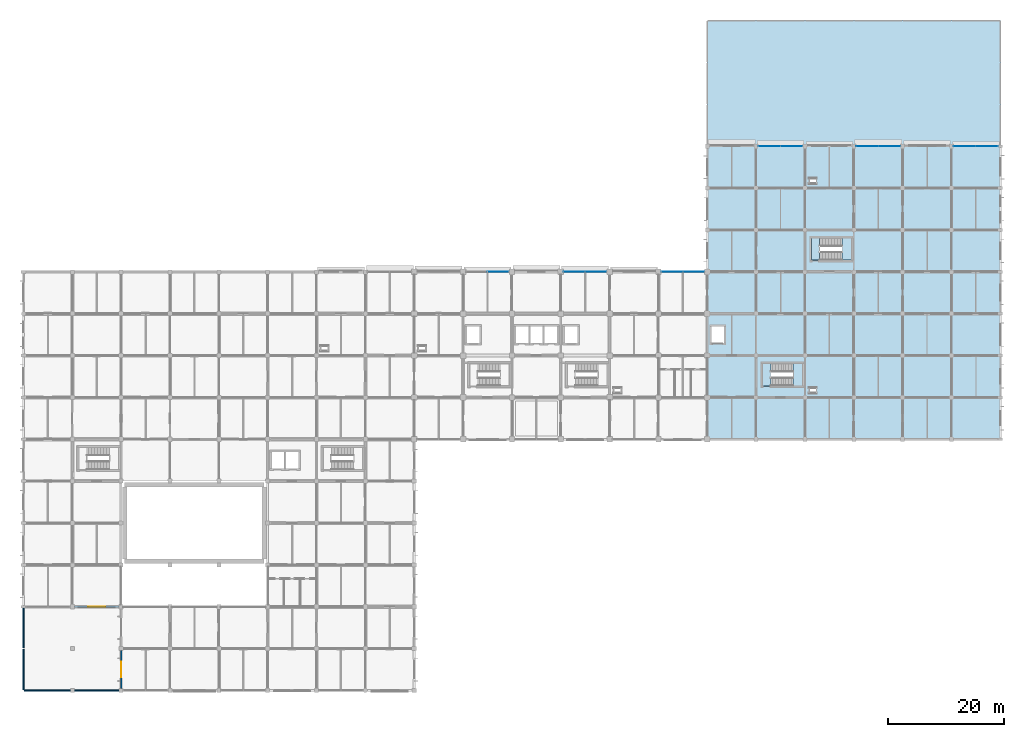
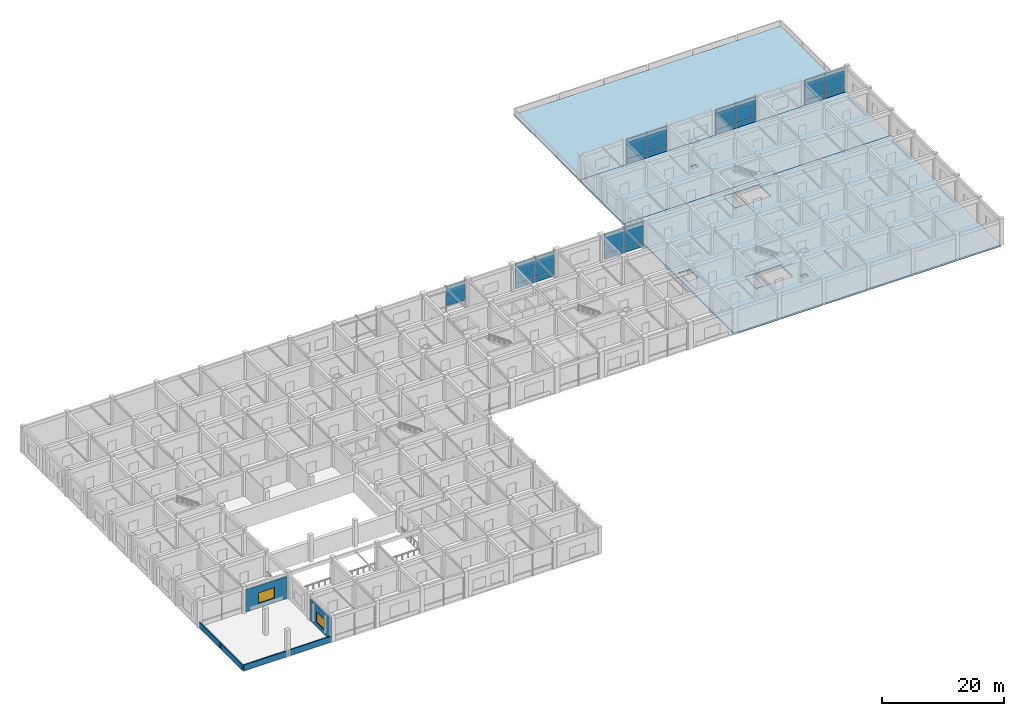
# One storey, part 17 of 41: 21 plates, 7 slabs, 6 walls, 2 windows, 2 openings, 8 elements without a shape of their own.
"""IFC4 building model written with IfcOpenShell, lengths in metres."""

from ifc_helpers import new_model, si_unit, derived_unit, direction, frame, frame_2d, origin, origin_2d, place, context, subcontext, project, spatial, polyline, rectangle, outline, extrude, material, layer, layer_set, type_object, element, fill, aggregate, save


model = new_model("IFC4")

# Units and contexts
model_context = context("Model", 3, precision=1e-05, world=origin(), true_north=direction((0.0, 1.0)))
body_context = subcontext(model_context, "Body", "Model", "MODEL_VIEW")
ifc_project = project(units=[si_unit("LENGTHUNIT", "METRE"), si_unit("AREAUNIT", "SQUARE_METRE"), si_unit("VOLUMEUNIT", "CUBIC_METRE"), si_unit("PLANEANGLEUNIT", "RADIAN"), si_unit("MASSUNIT", "GRAM", prefix="KILO"), derived_unit("THERMALTRANSMITTANCEUNIT", [(si_unit("MASSUNIT", "GRAM", prefix="KILO"), 1), (si_unit("TIMEUNIT", "SECOND"), -3), (si_unit("THERMODYNAMICTEMPERATUREUNIT", "KELVIN"), -1)])], contexts=[model_context])

# Site, building, storey
site_placement = place(None, origin())
site = spatial("IfcSite", under=ifc_project, at=site_placement, CompositionType="ELEMENT")
building_placement = place(site_placement, origin())
building = spatial("IfcBuilding", under=site, at=building_placement, Name="Veldstrom Oceanarium and Marine Research Institute", CompositionType="ELEMENT")
storey_placement = place(building_placement, frame((0.0, 0.0, 6.0)))
storey = spatial("IfcBuildingStorey", under=building, at=storey_placement, Name="L01", CompositionType="ELEMENT", Elevation=6.0)

# Curtain wall, plates
ifc_material_1 = material(Name="Anodised Aluminium Framing", Category="aluminium")
curtain_wall_type = type_object("IfcCurtainWallType", Name="ARC-CW-CW02", PredefinedType="USERDEFINED", material=ifc_material_1)
curtain_wall_1_placement = place(storey_placement, origin())
curtain_wall_1 = element("IfcCurtainWall", 1, at=curtain_wall_1_placement, inside=storey, type_object=curtain_wall_type, Name="Curtain Wall CW02 CW-L01-011", ObjectType="Curtain wall", PredefinedType="USERDEFINED")
ifc_material_2 = material(Name="Insulated Aluminium Spandrel", Category="aluminium")
ifc_layer_1 = layer(ifc_material_2, 0.044921875)
ifc_layer_set_1 = layer_set([ifc_layer_1], Name="ARC-PLT-CP02")
plate_type_1 = type_object("IfcPlateType", Name="ARC-PLT-CP02", PredefinedType="CURTAIN_PANEL", material=ifc_layer_set_1)
plate_1_placement = place(storey_placement, frame((94.73876953125, 72.0, 0.02001953125), z_axis=(0.0, 0.0, 1.0), x_axis=(1.0, 0.0, 0.0)))
plate_1 = element("IfcPlate", 2, at=plate_1_placement, type_object=plate_type_1, Name="Curtain Spandrel Panel CW-L01-011-PNL-S1", PredefinedType="CURTAIN_PANEL", context=body_context, shape_type="SweptSolid", body=[
    extrude(rectangle(XDim=3.617431640625, YDim=0.044921875, at=origin_2d()), origin(), (0.0, 0.0, 1.0), 0.989990234375),
])
plate_2_placement = place(storey_placement, frame((98.436279296875, 72.0, 0.02001953125), z_axis=(0.0, 0.0, 1.0), x_axis=(1.0, 0.0, 0.0)))
plate_2 = element("IfcPlate", 3, at=plate_2_placement, type_object=plate_type_1, Name="Curtain Spandrel Panel CW-L01-011-PNL-S2", PredefinedType="CURTAIN_PANEL", context=body_context, shape_type="SweptSolid", body=[
    extrude(rectangle(XDim=3.617431640625, YDim=0.044921875, at=origin_2d()), origin(), (0.0, 0.0, 1.0), 0.989990234375),
])

curtain_wall_2_placement = place(storey_placement, origin())
curtain_wall_2 = element("IfcCurtainWall", 4, at=curtain_wall_2_placement, inside=storey, type_object=curtain_wall_type, Name="Curtain Wall CW02 CW-L01-013", ObjectType="Curtain wall", PredefinedType="USERDEFINED")
plate_3_placement = place(storey_placement, frame((111.544921875, 72.0, 0.02001953125), z_axis=(0.0, 0.0, 1.0), x_axis=(1.0, 0.0, 0.0)))
plate_3 = element("IfcPlate", 5, at=plate_3_placement, type_object=plate_type_1, Name="Curtain Spandrel Panel CW-L01-013-PNL-S1", PredefinedType="CURTAIN_PANEL", context=body_context, shape_type="SweptSolid", body=[
    extrude(rectangle(XDim=3.6298828125, YDim=0.044921875, at=origin_2d()), origin(), (0.0, 0.0, 1.0), 0.989990234375),
])
plate_4_placement = place(storey_placement, frame((115.2548828125, 72.0, 0.02001953125), z_axis=(0.0, 0.0, 1.0), x_axis=(1.0, 0.0, 0.0)))
plate_4 = element("IfcPlate", 6, at=plate_4_placement, type_object=plate_type_1, Name="Curtain Spandrel Panel CW-L01-013-PNL-S2", PredefinedType="CURTAIN_PANEL", context=body_context, shape_type="SweptSolid", body=[
    extrude(rectangle(XDim=3.6298828125, YDim=0.044921875, at=origin_2d()), origin(), (0.0, 0.0, 1.0), 0.989990234375),
])

curtain_wall_3_placement = place(storey_placement, origin())
curtain_wall_3 = element("IfcCurtainWall", 7, at=curtain_wall_3_placement, inside=storey, type_object=curtain_wall_type, Name="Curtain Wall CW02 CW-L01-014", ObjectType="Curtain wall", PredefinedType="USERDEFINED")
plate_5_placement = place(storey_placement, frame((128.294921875, 93.60009765625, 0.02001953125), z_axis=(0.0, 0.0, 1.0), x_axis=(1.0, 0.0, 0.0)))
plate_5 = element("IfcPlate", 8, at=plate_5_placement, type_object=plate_type_1, Name="Curtain Spandrel Panel CW-L01-014-PNL-S1", PredefinedType="CURTAIN_PANEL", context=body_context, shape_type="SweptSolid", body=[
    extrude(rectangle(XDim=3.72998046875, YDim=0.044921875, at=origin_2d()), origin(), (0.0, 0.0, 1.0), 0.989990234375),
])
plate_6_placement = place(storey_placement, frame((132.10498046875, 93.60009765625, 0.02001953125), z_axis=(0.0, 0.0, 1.0), x_axis=(1.0, 0.0, 0.0)))
plate_6 = element("IfcPlate", 9, at=plate_6_placement, type_object=plate_type_1, Name="Curtain Spandrel Panel CW-L01-014-PNL-S2", PredefinedType="CURTAIN_PANEL", context=body_context, shape_type="SweptSolid", body=[
    extrude(rectangle(XDim=3.72998046875, YDim=0.044921875, at=origin_2d()), origin(), (0.0, 0.0, 1.0), 0.989990234375),
])

curtain_wall_4_placement = place(storey_placement, origin())
curtain_wall_4 = element("IfcCurtainWall", 10, at=curtain_wall_4_placement, inside=storey, type_object=curtain_wall_type, Name="Curtain Wall CW02 CW-L01-015", ObjectType="Curtain wall", PredefinedType="USERDEFINED")
plate_7_placement = place(storey_placement, frame((145.094970703125, 93.60009765625, 0.02001953125), z_axis=(0.0, 0.0, 1.0), x_axis=(1.0, 0.0, 0.0)))
plate_7 = element("IfcPlate", 11, at=plate_7_placement, type_object=plate_type_1, Name="Curtain Spandrel Panel CW-L01-015-PNL-S1", PredefinedType="CURTAIN_PANEL", context=body_context, shape_type="SweptSolid", body=[
    extrude(rectangle(XDim=3.72998046875, YDim=0.044921875, at=origin_2d()), origin(), (0.0, 0.0, 1.0), 0.989990234375),
])
plate_8_placement = place(storey_placement, frame((148.905029296875, 93.60009765625, 0.02001953125), z_axis=(0.0, 0.0, 1.0), x_axis=(1.0, 0.0, 0.0)))
plate_8 = element("IfcPlate", 12, at=plate_8_placement, type_object=plate_type_1, Name="Curtain Spandrel Panel CW-L01-015-PNL-S2", PredefinedType="CURTAIN_PANEL", context=body_context, shape_type="SweptSolid", body=[
    extrude(rectangle(XDim=3.72998046875, YDim=0.044921875, at=origin_2d()), origin(), (0.0, 0.0, 1.0), 0.989990234375),
])

curtain_wall_5_placement = place(storey_placement, origin())
curtain_wall_5 = element("IfcCurtainWall", 13, at=curtain_wall_5_placement, inside=storey, type_object=curtain_wall_type, Name="Curtain Wall CW02 CW-L01-016", ObjectType="Curtain wall", PredefinedType="USERDEFINED")
plate_9_placement = place(storey_placement, frame((161.882568359375, 93.60009765625, 0.02001953125), z_axis=(0.0, 0.0, 1.0), x_axis=(1.0, 0.0, 0.0)))
plate_9 = element("IfcPlate", 14, at=plate_9_placement, type_object=plate_type_1, Name="Curtain Spandrel Panel CW-L01-016-PNL-S1", PredefinedType="CURTAIN_PANEL", context=body_context, shape_type="SweptSolid", body=[
    extrude(rectangle(XDim=3.705078125, YDim=0.044921875, at=origin_2d()), origin(), (0.0, 0.0, 1.0), 0.989990234375),
])
plate_10_placement = place(storey_placement, frame((165.66748046875, 93.60009765625, 0.02001953125), z_axis=(0.0, 0.0, 1.0), x_axis=(1.0, 0.0, 0.0)))
plate_10 = element("IfcPlate", 15, at=plate_10_placement, type_object=plate_type_1, Name="Curtain Spandrel Panel CW-L01-016-PNL-S2", PredefinedType="CURTAIN_PANEL", context=body_context, shape_type="SweptSolid", body=[
    extrude(rectangle(XDim=3.705078125, YDim=0.044921875, at=origin_2d()), origin(), (0.0, 0.0, 1.0), 0.989990234375),
])

# Curtain wall, plate
curtain_wall_6_placement = place(storey_placement, origin())
curtain_wall_6 = element("IfcCurtainWall", 16, at=curtain_wall_6_placement, inside=storey, type_object=curtain_wall_type, Name="Curtain Wall CW02 CW-L01-009", ObjectType="Curtain wall", PredefinedType="USERDEFINED")
ifc_material_3 = material(Name="Double Glazed Low-E IGU", Category="glass")
ifc_layer_2 = layer(ifc_material_3, 0.035888671875)
ifc_layer_set_2 = layer_set([ifc_layer_2], Name="ARC-PLT-CP09")
plate_type_2 = type_object("IfcPlateType", Name="ARC-PLT-CP09", PredefinedType="CURTAIN_PANEL", material=ifc_layer_set_2)
plate_11_placement = place(storey_placement, frame((81.6611328125, 72.0, 1.08984375), z_axis=(0.0, 0.0, 1.0), x_axis=(1.0, 0.0, 0.0)))
plate_11 = element("IfcPlate", 17, at=plate_11_placement, type_object=plate_type_2, Name="Curtain Vision Panel CW-L01-009-PNL-V2", PredefinedType="CURTAIN_PANEL", context=body_context, shape_type="SweptSolid", body=[
    extrude(rectangle(XDim=3.617431640625, YDim=0.035888671875, at=origin_2d()), origin(), (0.0, 0.0, 1.0), 3.965087890625),
])
aggregate(curtain_wall_6, [plate_11])

# Plate
plate_12_placement = place(storey_placement, frame((94.73876953125, 72.0, 1.08984375), z_axis=(0.0, 0.0, 1.0), x_axis=(1.0, 0.0, 0.0)))
plate_12 = element("IfcPlate", 18, at=plate_12_placement, type_object=plate_type_2, Name="Curtain Vision Panel CW-L01-011-PNL-V1", PredefinedType="CURTAIN_PANEL", context=body_context, shape_type="SweptSolid", body=[
    extrude(rectangle(XDim=3.617431640625, YDim=0.035888671875, at=origin_2d()), origin(), (0.0, 0.0, 1.0), 3.965087890625),
])

plate_13_placement = place(storey_placement, frame((98.436279296875, 72.0, 1.08984375), z_axis=(0.0, 0.0, 1.0), x_axis=(1.0, 0.0, 0.0)))
plate_13 = element("IfcPlate", 19, at=plate_13_placement, type_object=plate_type_2, Name="Curtain Vision Panel CW-L01-011-PNL-V2", PredefinedType="CURTAIN_PANEL", context=body_context, shape_type="SweptSolid", body=[
    extrude(rectangle(XDim=3.617431640625, YDim=0.035888671875, at=origin_2d()), origin(), (0.0, 0.0, 1.0), 3.965087890625),
])

aggregate(curtain_wall_1, [plate_1, plate_12, plate_2, plate_13])

plate_14_placement = place(storey_placement, frame((111.544921875, 72.0, 1.08984375), z_axis=(0.0, 0.0, 1.0), x_axis=(1.0, 0.0, 0.0)))
plate_14 = element("IfcPlate", 20, at=plate_14_placement, type_object=plate_type_2, Name="Curtain Vision Panel CW-L01-013-PNL-V1", PredefinedType="CURTAIN_PANEL", context=body_context, shape_type="SweptSolid", body=[
    extrude(rectangle(XDim=3.6298828125, YDim=0.035888671875, at=origin_2d()), origin(), (0.0, 0.0, 1.0), 3.965087890625),
])

plate_15_placement = place(storey_placement, frame((115.2548828125, 72.0, 1.08984375), z_axis=(0.0, 0.0, 1.0), x_axis=(1.0, 0.0, 0.0)))
plate_15 = element("IfcPlate", 21, at=plate_15_placement, type_object=plate_type_2, Name="Curtain Vision Panel CW-L01-013-PNL-V2", PredefinedType="CURTAIN_PANEL", context=body_context, shape_type="SweptSolid", body=[
    extrude(rectangle(XDim=3.6298828125, YDim=0.035888671875, at=origin_2d()), origin(), (0.0, 0.0, 1.0), 3.965087890625),
])

aggregate(curtain_wall_2, [plate_3, plate_14, plate_4, plate_15])

plate_16_placement = place(storey_placement, frame((128.294921875, 93.60009765625, 1.08984375), z_axis=(0.0, 0.0, 1.0), x_axis=(1.0, 0.0, 0.0)))
plate_16 = element("IfcPlate", 22, at=plate_16_placement, type_object=plate_type_2, Name="Curtain Vision Panel CW-L01-014-PNL-V1", PredefinedType="CURTAIN_PANEL", context=body_context, shape_type="SweptSolid", body=[
    extrude(rectangle(XDim=3.72998046875, YDim=0.035888671875, at=origin_2d()), origin(), (0.0, 0.0, 1.0), 3.965087890625),
])

plate_17_placement = place(storey_placement, frame((132.10498046875, 93.60009765625, 1.08984375), z_axis=(0.0, 0.0, 1.0), x_axis=(1.0, 0.0, 0.0)))
plate_17 = element("IfcPlate", 23, at=plate_17_placement, type_object=plate_type_2, Name="Curtain Vision Panel CW-L01-014-PNL-V2", PredefinedType="CURTAIN_PANEL", context=body_context, shape_type="SweptSolid", body=[
    extrude(rectangle(XDim=3.72998046875, YDim=0.035888671875, at=origin_2d()), origin(), (0.0, 0.0, 1.0), 3.965087890625),
])

aggregate(curtain_wall_3, [plate_5, plate_16, plate_6, plate_17])

plate_18_placement = place(storey_placement, frame((145.094970703125, 93.60009765625, 1.08984375), z_axis=(0.0, 0.0, 1.0), x_axis=(1.0, 0.0, 0.0)))
plate_18 = element("IfcPlate", 24, at=plate_18_placement, type_object=plate_type_2, Name="Curtain Vision Panel CW-L01-015-PNL-V1", PredefinedType="CURTAIN_PANEL", context=body_context, shape_type="SweptSolid", body=[
    extrude(rectangle(XDim=3.72998046875, YDim=0.035888671875, at=origin_2d()), origin(), (0.0, 0.0, 1.0), 3.965087890625),
])

plate_19_placement = place(storey_placement, frame((148.905029296875, 93.60009765625, 1.08984375), z_axis=(0.0, 0.0, 1.0), x_axis=(1.0, 0.0, 0.0)))
plate_19 = element("IfcPlate", 25, at=plate_19_placement, type_object=plate_type_2, Name="Curtain Vision Panel CW-L01-015-PNL-V2", PredefinedType="CURTAIN_PANEL", context=body_context, shape_type="SweptSolid", body=[
    extrude(rectangle(XDim=3.72998046875, YDim=0.035888671875, at=origin_2d()), origin(), (0.0, 0.0, 1.0), 3.965087890625),
])

aggregate(curtain_wall_4, [plate_7, plate_18, plate_8, plate_19])

plate_20_placement = place(storey_placement, frame((161.882568359375, 93.60009765625, 1.08984375), z_axis=(0.0, 0.0, 1.0), x_axis=(1.0, 0.0, 0.0)))
plate_20 = element("IfcPlate", 26, at=plate_20_placement, type_object=plate_type_2, Name="Curtain Vision Panel CW-L01-016-PNL-V1", PredefinedType="CURTAIN_PANEL", context=body_context, shape_type="SweptSolid", body=[
    extrude(rectangle(XDim=3.705078125, YDim=0.035888671875, at=origin_2d()), origin(), (0.0, 0.0, 1.0), 3.965087890625),
])

plate_21_placement = place(storey_placement, frame((165.66748046875, 93.60009765625, 1.08984375), z_axis=(0.0, 0.0, 1.0), x_axis=(1.0, 0.0, 0.0)))
plate_21 = element("IfcPlate", 27, at=plate_21_placement, type_object=plate_type_2, Name="Curtain Vision Panel CW-L01-016-PNL-V2", PredefinedType="CURTAIN_PANEL", context=body_context, shape_type="SweptSolid", body=[
    extrude(rectangle(XDim=3.705078125, YDim=0.035888671875, at=origin_2d()), origin(), (0.0, 0.0, 1.0), 3.965087890625),
])

aggregate(curtain_wall_5, [plate_9, plate_20, plate_10, plate_21])

# Slabs
ifc_material_4 = material(Name="Concrete C40/50", Category="concrete")
ifc_layer_3 = layer(ifc_material_4, 0.324951171875)
ifc_layer_set_3 = layer_set([ifc_layer_3], Name="STR-SLB-FL0325")
slab_type_1 = type_object("IfcSlabType", Name="STR-SLB-FL0325", PredefinedType="FLOOR", material=ifc_layer_set_3)
slab_1_placement = place(storey_placement, frame((0.0, 0.0, -0.324951171875)))
element("IfcSlab", 28, at=slab_1_placement, inside=storey, type_object=slab_type_1, Name="Slab SF-325 L01 ES", PredefinedType="FLOOR", context=body_context, shape_type="SweptSolid", body=[
    extrude(outline(polyline([(151.199951171875, 43.199951171875), (142.800048828125, 43.199951171875), (134.39990234375, 43.199951171875), (126.0, 43.199951171875), (117.60009765625, 43.199951171875), (117.60009765625, 50.39990234375), (117.60009765625, 57.60009765625), (117.60009765625, 64.800048828125), (117.60009765625, 72.0), (117.60009765625, 79.199951171875), (126.0, 79.199951171875), (134.39990234375, 79.199951171875), (142.800048828125, 79.199951171875), (151.199951171875, 79.199951171875), (159.60009765625, 79.199951171875), (168.0, 79.199951171875), (168.0, 72.0), (168.0, 64.800048828125), (168.0, 57.60009765625), (168.0, 50.39990234375), (168.0, 43.199951171875), (159.60009765625, 43.199951171875), (151.199951171875, 43.199951171875)]), holes=[polyline([(133.9599609375, 52.39990234375), (133.9599609375, 56.199951171875), (127.1201171875, 56.199951171875), (127.1201171875, 52.39990234375), (133.9599609375, 52.39990234375)]), polyline([(135.52001953125, 77.800048828125), (135.52001953125, 74.0), (142.360107421875, 74.0), (142.360107421875, 77.800048828125), (135.52001953125, 77.800048828125)]), polyline([(118.300048828125, 62.60009765625), (118.300048828125, 59.800048828125), (120.449951171875, 59.800048828125), (120.449951171875, 62.60009765625), (118.300048828125, 62.60009765625)]), polyline([(136.300048828125, 52.0), (135.199951171875, 52.0), (135.199951171875, 51.199951171875), (136.300048828125, 51.199951171875), (136.300048828125, 52.0)])]), origin(), (0.0, 0.0, 1.0), 0.324951171875),
])
slab_2_placement = place(storey_placement, frame((0.0, 0.0, -0.324951171875)))
element("IfcSlab", 29, at=slab_2_placement, inside=storey, type_object=slab_type_1, Name="Slab SF-325 L01 EN", PredefinedType="FLOOR", context=body_context, shape_type="SweptSolid", body=[
    extrude(outline(polyline([(117.60009765625, 86.39990234375), (117.60009765625, 93.60009765625), (126.0, 93.60009765625), (134.39990234375, 93.60009765625), (142.800048828125, 93.60009765625), (151.199951171875, 93.60009765625), (159.60009765625, 93.60009765625), (168.0, 93.60009765625), (168.0, 86.39990234375), (168.0, 79.199951171875), (159.60009765625, 79.199951171875), (151.199951171875, 79.199951171875), (142.800048828125, 79.199951171875), (134.39990234375, 79.199951171875), (126.0, 79.199951171875), (117.60009765625, 79.199951171875), (117.60009765625, 86.39990234375)]), holes=[polyline([(136.300048828125, 88.0), (135.199951171875, 88.0), (135.199951171875, 87.199951171875), (136.300048828125, 87.199951171875), (136.300048828125, 88.0)])]), origin(), (0.0, 0.0, 1.0), 0.324951171875),
])

# Stair, slab
ifc_material_5 = material(Name="Concrete C40/50", Category="concrete")
stair_type = type_object("IfcStairType", Name="ARC-STR-ST-540", PredefinedType="TWO_STRAIGHT_RUN_STAIR", material=ifc_material_5)
stair_1_placement = place(storey_placement, origin())
stair_1 = element("IfcStair", 30, at=stair_1_placement, inside=storey, type_object=stair_type, Name="Dog-Leg Escape Stair ST4-L01", PredefinedType="TWO_STRAIGHT_RUN_STAIR")
ifc_material_6 = material(Name="Concrete C40/50", Category="concrete")
ifc_layer_4 = layer(ifc_material_6, 0.179931640625)
ifc_layer_set_4 = layer_set([ifc_layer_4], Name="STR-SLB-LD180")
slab_type_2 = type_object("IfcSlabType", Name="STR-SLB-LD180", PredefinedType="LANDING", material=ifc_layer_set_4)
slab_3_placement = place(storey_placement, frame((0.0, 0.0, 2.52001953125)))
slab_3 = element("IfcSlab", 31, at=slab_3_placement, type_object=slab_type_2, Name="Stair Half-Landing ST4 L01", PredefinedType="LANDING", context=body_context, shape_type="SweptSolid", body=[
    extrude(outline(polyline([(132.364990234375, 52.39990234375), (133.9599609375, 52.39990234375), (133.9599609375, 56.199951171875), (132.364990234375, 56.199951171875), (132.364990234375, 52.39990234375)])), origin(), (0.0, 0.0, 1.0), 0.179931640625),
])
aggregate(stair_1, [slab_3])

stair_2_placement = place(storey_placement, origin())
stair_2 = element("IfcStair", 32, at=stair_2_placement, inside=storey, type_object=stair_type, Name="Dog-Leg Escape Stair ST7-L01", PredefinedType="TWO_STRAIGHT_RUN_STAIR")
slab_4_placement = place(storey_placement, frame((0.0, 0.0, 2.52001953125)))
slab_4 = element("IfcSlab", 33, at=slab_4_placement, type_object=slab_type_2, Name="Stair Half-Landing ST7 L01", PredefinedType="LANDING", context=body_context, shape_type="SweptSolid", body=[
    extrude(outline(polyline([(140.764892578125, 74.0), (142.360107421875, 74.0), (142.360107421875, 77.800048828125), (140.764892578125, 77.800048828125), (140.764892578125, 74.0)])), origin(), (0.0, 0.0, 1.0), 0.179931640625),
])
aggregate(stair_2, [slab_4])

# Slabs
ifc_material_7 = material(Name="Concrete C40/50", Category="concrete")
ifc_layer_5 = layer(ifc_material_7, 0.199951171875)
ifc_layer_set_5 = layer_set([ifc_layer_5], Name="STR-SLB-LD200")
slab_type_3 = type_object("IfcSlabType", Name="STR-SLB-LD200", PredefinedType="LANDING", material=ifc_layer_set_5)
slab_5_placement = place(storey_placement, frame((0.0, 0.0, -0.199951171875)))
element("IfcSlab", 34, at=slab_5_placement, inside=storey, type_object=slab_type_3, Name="Stair Floor Landing ST4 L01", PredefinedType="LANDING", context=body_context, shape_type="SweptSolid", body=[
    extrude(outline(polyline([(127.1201171875, 52.39990234375), (128.5400390625, 52.39990234375), (128.5400390625, 56.199951171875), (127.1201171875, 56.199951171875), (127.1201171875, 52.39990234375)])), origin(), (0.0, 0.0, 1.0), 0.199951171875),
])
slab_6_placement = place(storey_placement, frame((0.0, 0.0, -0.199951171875)))
element("IfcSlab", 35, at=slab_6_placement, inside=storey, type_object=slab_type_3, Name="Stair Floor Landing ST7 L01", PredefinedType="LANDING", context=body_context, shape_type="SweptSolid", body=[
    extrude(outline(polyline([(135.52001953125, 74.0), (136.93994140625, 74.0), (136.93994140625, 77.800048828125), (135.52001953125, 77.800048828125), (135.52001953125, 74.0)])), origin(), (0.0, 0.0, 1.0), 0.199951171875),
])
ifc_material_8 = material(Name="Concrete C40/50", Category="concrete")
ifc_layer_6 = layer(ifc_material_8, 0.22509765625)
ifc_layer_set_6 = layer_set([ifc_layer_6], Name="STR-SLB-RF0225")
slab_type_4 = type_object("IfcSlabType", Name="STR-SLB-RF0225", PredefinedType="ROOF", material=ifc_layer_set_6)
slab_7_placement = place(storey_placement, frame((0.0, 0.0, -0.22509765625)))
element("IfcSlab", 36, at=slab_7_placement, inside=storey, type_object=slab_type_4, Name="Maintenance Roof Slab L00", PredefinedType="ROOF", context=body_context, shape_type="SweptSolid", body=[
    extrude(outline(polyline([(117.60009765625, 100.800048828125), (117.60009765625, 108.0), (117.60009765625, 115.199951171875), (126.0, 115.199951171875), (134.39990234375, 115.199951171875), (142.800048828125, 115.199951171875), (151.199951171875, 115.199951171875), (159.60009765625, 115.199951171875), (168.0, 115.199951171875), (168.0, 108.0), (168.0, 100.800048828125), (168.0, 93.60009765625), (159.60009765625, 93.60009765625), (151.199951171875, 93.60009765625), (142.800048828125, 93.60009765625), (134.39990234375, 93.60009765625), (126.0, 93.60009765625), (117.60009765625, 93.60009765625), (117.60009765625, 100.800048828125)])), origin(), (0.0, 0.0, 1.0), 0.22509765625),
])

# Wall, opening, window
ifc_material_9 = material(Name="Masonry Cavity Wall", Category="masonry")
ifc_layer_7 = layer(ifc_material_9, 0.31005859375)
ifc_layer_set_7 = layer_set([ifc_layer_7], Name="ARC-WAL-EW1")
wall_type_1 = type_object("IfcWallType", Name="ARC-WAL-EW1", PredefinedType="SOLIDWALL", material=ifc_layer_set_7)
wall_1_placement = place(storey_placement, frame((8.75, 14.39990234375, 0.0), z_axis=(0.0, 0.0, 1.0), x_axis=(1.0, 0.0, 0.0)))
wall_1 = element("IfcWall", 37, at=wall_1_placement, inside=storey, type_object=wall_type_1, Name="Exterior Facade Wall EW1 L01-072", PredefinedType="SOLIDWALL", context=body_context, shape_type="SweptSolid", body=[
    extrude(rectangle(XDim=7.699951171875, YDim=0.31005859375, at=frame_2d((3.85009765625, 0.0))), origin(), (0.0, 0.0, 1.0), 4.419921875),
])
opening_1_placement = place(wall_1_placement, frame((2.35009765625, 0.0, 0.89990234375)))
opening_1 = element("IfcOpeningElement", 38, at=opening_1_placement, cuts=wall_1, Name="Opening W07", PredefinedType="OPENING", context=body_context, shape_type="SweptSolid", body=[
    extrude(rectangle(XDim=3.0, YDim=2.10009765625, at=frame_2d((1.5, 1.050048828125))), frame((0.0, 0.1650390625, 0.0), z_axis=(0.0, -1.0, 0.0), x_axis=(1.0, 0.0, 0.0)), (0.0, 0.0, 1.0), 0.330078125),
])
ifc_material_10 = material(Name="Double Glazed Low-E IGU", Category="glass")
window_type_1 = type_object("IfcWindowType", Name="ARC-WIN-W07", PartitioningType="SINGLE_PANEL", PredefinedType="WINDOW", material=ifc_material_10)
window_1_placement = place(opening_1_placement, origin())
window_1 = element("IfcWindow", 39, at=window_1_placement, inside=storey, type_object=window_type_1, Name="Facade Window W07 L01-0044", OverallHeight=2.10009765625, OverallWidth=3.0, PartitioningType="SINGLE_PANEL", PredefinedType="WINDOW", context=body_context, shape_type="SweptSolid", body=[
    extrude(rectangle(XDim=3.0, YDim=2.10009765625, at=frame_2d((1.5, 1.050048828125))), frame((0.0, 0.030029296875, 0.0), z_axis=(0.0, -1.0, 0.0), x_axis=(1.0, 0.0, 0.0)), (0.0, 0.0, 1.0), 0.06005859375),
])
fill(opening_1, window_1)

ifc_material_11 = material(Name="Masonry Cavity Wall", Category="masonry")
ifc_layer_8 = layer(ifc_material_11, 0.27001953125)
ifc_layer_set_8 = layer_set([ifc_layer_8], Name="ARC-WAL-EW3")
wall_type_2 = type_object("IfcWallType", Name="ARC-WAL-EW3", PredefinedType="SOLIDWALL", material=ifc_layer_set_8)
wall_2_placement = place(storey_placement, frame((16.800048828125, 0.35009765625, 0.0), z_axis=(0.0, 0.0, 1.0), x_axis=(0.0, 1.0, 0.0)))
wall_2 = element("IfcWall", 40, at=wall_2_placement, inside=storey, type_object=wall_type_2, Name="Exterior Facade Wall EW3 L01-074", PredefinedType="SOLIDWALL", context=body_context, shape_type="SweptSolid", body=[
    extrude(rectangle(XDim=6.5, YDim=0.27001953125, at=frame_2d((3.25, 0.0))), origin(), (0.0, 0.0, 1.0), 4.419921875),
])
opening_2_placement = place(wall_2_placement, frame((1.89990234375, 0.0, 0.89990234375)))
opening_2 = element("IfcOpeningElement", 41, at=opening_2_placement, cuts=wall_2, Name="Opening W08", PredefinedType="OPENING", context=body_context, shape_type="SweptSolid", body=[
    extrude(rectangle(XDim=2.699951171875, YDim=2.10009765625, at=frame_2d((1.35009765625, 1.050048828125))), frame((0.0, 0.14501953125, 0.0), z_axis=(0.0, -1.0, 0.0), x_axis=(1.0, 0.0, 0.0)), (0.0, 0.0, 1.0), 0.2900390625),
])
ifc_material_12 = material(Name="Double Glazed Low-E IGU", Category="glass")
window_type_2 = type_object("IfcWindowType", Name="ARC-WIN-W08", PartitioningType="SINGLE_PANEL", PredefinedType="WINDOW", material=ifc_material_12)
window_2_placement = place(opening_2_placement, origin())
window_2 = element("IfcWindow", 42, at=window_2_placement, inside=storey, type_object=window_type_2, Name="Facade Window W08 L01-0045", OverallHeight=2.10009765625, OverallWidth=2.699951171875, PartitioningType="SINGLE_PANEL", PredefinedType="WINDOW", context=body_context, shape_type="SweptSolid", body=[
    extrude(rectangle(XDim=2.699951171875, YDim=2.10009765625, at=frame_2d((1.35009765625, 1.050048828125))), frame((0.0, 0.030029296875, 0.0), z_axis=(0.0, -1.0, 0.0), x_axis=(1.0, 0.0, 0.0)), (0.0, 0.0, 1.0), 0.06005859375),
])
fill(opening_2, window_2)

# Walls
ifc_material_13 = material(Name="Masonry Cavity Wall", Category="masonry")
ifc_layer_9 = layer(ifc_material_13, 0.219970703125)
ifc_layer_set_9 = layer_set([ifc_layer_9], Name="ARC-WAL-PR1")
wall_type_3 = type_object("IfcWallType", Name="ARC-WAL-PR1", PredefinedType="PARAPET", material=ifc_layer_set_9)
wall_3_placement = place(storey_placement, frame((0.1201171875, 0.0, 0.0), z_axis=(0.0, 0.0, 1.0), x_axis=(1.0, 0.0, 0.0)))
element("IfcWall", 43, at=wall_3_placement, inside=storey, type_object=wall_type_3, Name="Roof Parapet Wall L00-006", PredefinedType="PARAPET", context=body_context, shape_type="SweptSolid", body=[
    extrude(rectangle(XDim=8.159912109375, YDim=0.219970703125, at=frame_2d((4.080078125, 0.0))), origin(), (0.0, 0.0, 1.0), 1.14990234375),
])
for number, where, z_axis, x_axis, name in (
    (44, (0.0, 0.1201171875, 0.0), (0.0, 0.0, 1.0), (0.0, 1.0, 0.0), "Roof Parapet Wall L00-007"),
    (45, (0.0, 7.320068359375, 0.0), (0.0, 0.0, 1.0), (0.0, 1.0, 0.0), "Roof Parapet Wall L00-008"),
):
    element("IfcWall", number, at=place(storey_placement, frame(where, z_axis=z_axis, x_axis=x_axis)), inside=storey, type_object=wall_type_3, Name=name, PredefinedType="PARAPET", context=body_context, shape_type="SweptSolid", body=[
        extrude(rectangle(XDim=6.9599609375, YDim=0.219970703125, at=frame_2d((3.47998046875, 0.0))), origin(), (0.0, 0.0, 1.0), 1.14990234375),
    ])
wall_4_placement = place(storey_placement, frame((8.52001953125, 0.0, 0.0), z_axis=(0.0, 0.0, 1.0), x_axis=(1.0, 0.0, 0.0)))
element("IfcWall", 46, at=wall_4_placement, inside=storey, type_object=wall_type_3, Name="Roof Parapet Wall L00-009", PredefinedType="PARAPET", context=body_context, shape_type="SweptSolid", body=[
    extrude(rectangle(XDim=8.159912109375, YDim=0.219970703125, at=frame_2d((4.080078125, 0.0))), origin(), (0.0, 0.0, 1.0), 1.14990234375),
])

save(model, "model.ifc")
